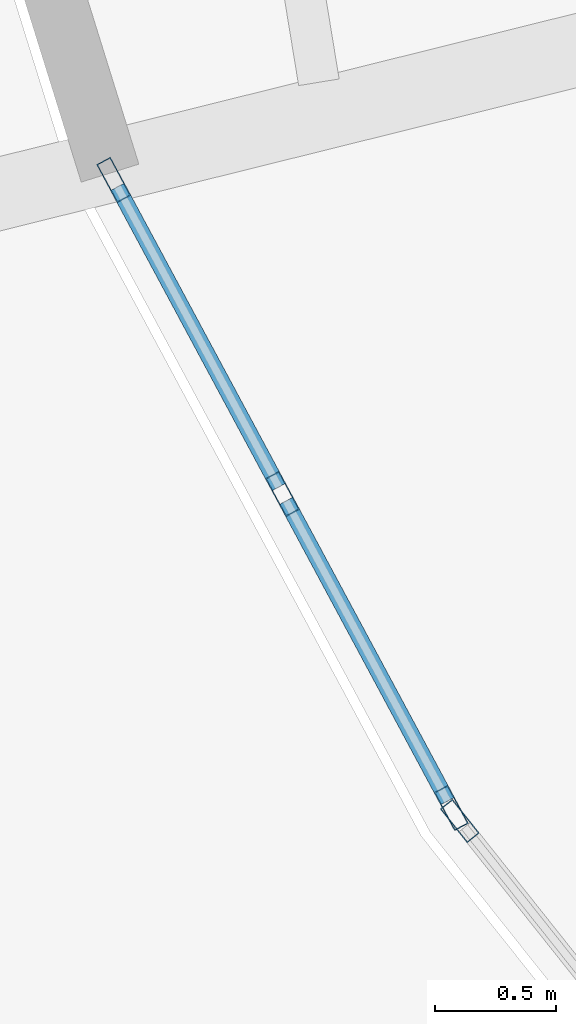
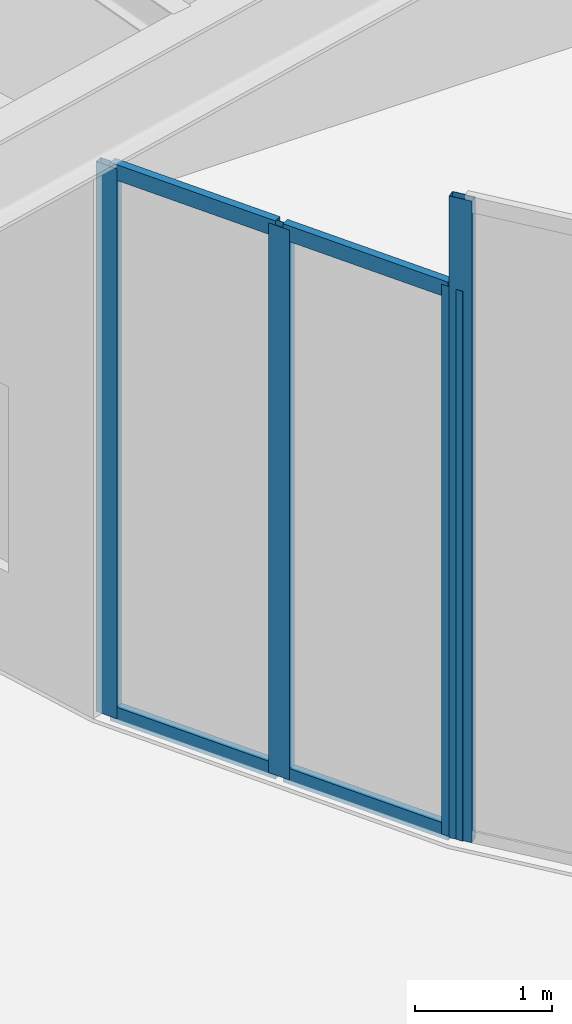
# One storey, part 8 of 46: 8 members, 2 elements without a shape of their own.
"""IFC4 building model written with IfcOpenShell, lengths in metres."""

import ifcopenshell
import ifcopenshell.guid

model = None  # the IFC model being written
_history = None  # IfcOwnerHistory: only IFC2X3 demands one
_inside = {}  # id of a spatial element -> (the spatial element, [elements in it])
_under = {}  # id of a project, library or spatial element -> (it, [spatial elements below it])
_declared = {}  # id of a project -> (the project, [libraries it declares])
_typed = {}  # id of a type object -> (the type object, [elements of that type])
_made_of = {}  # id of a material, layer set ... -> (it, [elements and type objects made of it])


def new_model(schema):
    """Start an empty IFC model of exactly this schema.

    Asked for "IFC4X3", IfcOpenShell would pick the latest addendum, in which some entities
    have other attributes; the version numbers below select the first issue.
    IFC2X3 requires an IfcOwnerHistory on every rooted entity: one is made here for all.
    """
    global model, _history
    if schema == "IFC4X3":
        model = ifcopenshell.file(schema_version=(4, 3, 0, 0))
    else:
        model = ifcopenshell.file(schema=schema)
    _inside.clear()
    _under.clear()
    _declared.clear()
    _typed.clear()
    _made_of.clear()
    _history = None
    if model.schema == "IFC2X3":
        org = make("IfcOrganization", Name="unknown")
        user = make(
            "IfcPersonAndOrganization",
            ThePerson=make("IfcPerson", FamilyName="unknown"),
            TheOrganization=org,
        )
        app = make(
            "IfcApplication",
            ApplicationDeveloper=org,
            Version="unknown",
            ApplicationFullName="unknown",
            ApplicationIdentifier="unknown",
        )
        _history = make(
            "IfcOwnerHistory",
            OwningUser=user,
            OwningApplication=app,
            ChangeAction="ADDED",
            CreationDate=0,
        )
    return model


def make(cls, **values):
    """One entity of the class cls with the attributes given. An attribute that is None is left unset."""
    return model.create_entity(
        cls, **{name: value for name, value in values.items() if value is not None}
    )


def rooted(cls, **values):
    """An entity with a GlobalId (a new one), such as an element, a storey or a relation."""
    return make(cls, GlobalId=ifcopenshell.guid.new(), OwnerHistory=_history, **values)


def si_unit(unit_type, name, prefix=None):
    """IfcSIUnit, for example si_unit("LENGTHUNIT", "METRE", prefix="MILLI")."""
    return make("IfcSIUnit", UnitType=unit_type, Prefix=prefix, Name=name)


def assignment(units):
    """IfcUnitAssignment: the units of a project."""
    return None if units is None else make("IfcUnitAssignment", Units=units)


def point(xyz):
    """IfcCartesianPoint."""
    return None if xyz is None else make("IfcCartesianPoint", Coordinates=xyz)


def direction(xyz):
    """IfcDirection."""
    return None if xyz is None else make("IfcDirection", DirectionRatios=xyz)


def frame(location, z_axis=None, x_axis=None):
    """IfcAxis2Placement3D, a coordinate frame: its origin and axes. An axis left out is left unset."""
    return make(
        "IfcAxis2Placement3D",
        Location=point(location),
        Axis=direction(z_axis),
        RefDirection=direction(x_axis),
    )


def frame_2d(location, x_axis=None):
    """IfcAxis2Placement2D, a coordinate frame in the plane: its origin and x axis."""
    return make(
        "IfcAxis2Placement2D", Location=point(location), RefDirection=direction(x_axis)
    )


def origin():
    """The frame at (0, 0, 0) with its axes left unset."""
    return frame((0.0, 0.0, 0.0))


def origin_2d():
    """The frame at (0, 0) in the plane with its x axis left unset."""
    return frame_2d((0.0, 0.0))


def place(relative_to, where):
    """IfcLocalPlacement: puts the frame where relative to a parent placement (None: the world)."""
    return make(
        "IfcLocalPlacement", PlacementRelTo=relative_to, RelativePlacement=where
    )


def context(
    kind, dimensions, precision=None, world=None, true_north=None, identifier=None
):
    """IfcGeometricRepresentationContext, for example the 3D "Model" context."""
    return make(
        "IfcGeometricRepresentationContext",
        ContextIdentifier=identifier,
        ContextType=kind,
        CoordinateSpaceDimension=dimensions,
        Precision=precision,
        WorldCoordinateSystem=world,
        TrueNorth=true_north,
    )


def subcontext(parent, identifier, kind, view, scale=None):
    """IfcGeometricRepresentationSubContext, for example "Body" below "Model"."""
    return make(
        "IfcGeometricRepresentationSubContext",
        ContextIdentifier=identifier,
        ContextType=kind,
        ParentContext=parent,
        TargetScale=scale,
        TargetView=view,
    )


def project(units=None, contexts=None):
    """IfcProject with its units and contexts."""
    return rooted(
        "IfcProject",
        Name="project",
        RepresentationContexts=contexts,
        UnitsInContext=assignment(units),
    )


def spatial(cls, under=None, at=None, **own):
    """A site, building, storey or space (cls), placed at a placement, below another one or the project."""
    s = rooted(cls, ObjectPlacement=at, **own)
    if under is not None:
        _under.setdefault(under.id(), (under, []))[1].append(s)
    return s


def profile(cls, at=None, kind="AREA", **sizes):
    """A parametric profile (cls). Its sizes go by their IFC names, for example OverallWidth=200.0."""
    return make(cls, ProfileType=kind, Position=at, **sizes)


def hollow_rectangle(**sizes):
    """IfcRectangleHollowProfileDef."""
    return profile("IfcRectangleHollowProfileDef", **sizes)


def extrude(swept, where, along, depth):
    """IfcExtrudedAreaSolid: the profile swept, set in the frame where, extruded along a direction by depth."""
    return make(
        "IfcExtrudedAreaSolid",
        SweptArea=swept,
        Position=where,
        ExtrudedDirection=direction(along),
        Depth=depth,
    )


def shape(context_of_items, identifier, shape_type, items):
    """IfcShapeRepresentation: the items that make up one representation, for example the "Body"."""
    return make(
        "IfcShapeRepresentation",
        ContextOfItems=context_of_items,
        RepresentationIdentifier=identifier,
        RepresentationType=shape_type,
        Items=items,
    )


def source(mapping_origin, context_of_items, identifier, shape_type, items):
    """IfcRepresentationMap: a shape defined once, which mapped items show again and again."""
    return make(
        "IfcRepresentationMap",
        MappingOrigin=mapping_origin,
        MappedRepresentation=shape(context_of_items, identifier, shape_type, items),
    )


def transform(
    local_origin,
    x_axis=None,
    y_axis=None,
    z_axis=None,
    scale=None,
    scale2=None,
    scale3=None,
    uniform=True,
):
    """IfcCartesianTransformationOperator3D, or its non-uniform kind. x_axis, y_axis, z_axis: its Axis1, 2, 3."""
    if uniform:
        return make(
            "IfcCartesianTransformationOperator3D",
            Axis1=direction(x_axis),
            Axis2=direction(y_axis),
            LocalOrigin=point(local_origin),
            Scale=scale,
            Axis3=direction(z_axis),
        )
    return make(
        "IfcCartesianTransformationOperator3DnonUniform",
        Axis1=direction(x_axis),
        Axis2=direction(y_axis),
        LocalOrigin=point(local_origin),
        Scale=scale,
        Axis3=direction(z_axis),
        Scale2=scale2,
        Scale3=scale3,
    )


def mapped(mapping_source, mapping_target):
    """IfcMappedItem: shows the shape of a source again, moved by a transform."""
    return make(
        "IfcMappedItem", MappingSource=mapping_source, MappingTarget=mapping_target
    )


def material(Name=None, Category=None):
    """IfcMaterial."""
    return make("IfcMaterial", Name=Name, Category=Category)


def layer(
    of_material, thickness, ventilated=None, Name=None, Category=None, Priority=None
):
    """IfcMaterialLayer: one layer of a wall or slab, of a material (None: an air gap)."""
    return make(
        "IfcMaterialLayer",
        Material=of_material,
        LayerThickness=thickness,
        IsVentilated=ventilated,
        Name=Name,
        Category=Category,
        Priority=Priority,
    )


def layer_set(layers, Name=None):
    """IfcMaterialLayerSet."""
    return make("IfcMaterialLayerSet", MaterialLayers=layers, LayerSetName=Name)


def material_profile(
    of_material, cross_section, Name=None, Category=None, Priority=None
):
    """IfcMaterialProfile: a cross section and its material."""
    return make(
        "IfcMaterialProfile",
        Name=Name,
        Material=of_material,
        Profile=cross_section,
        Priority=Priority,
        Category=Category,
    )


def profile_set(profiles, Name=None, composite=None):
    """IfcMaterialProfileSet."""
    return make(
        "IfcMaterialProfileSet",
        Name=Name,
        MaterialProfiles=profiles,
        CompositeProfile=composite,
    )


def made_of(thing, what):
    """Note that an element or type object is made of a material, layer set ...; save() writes the relation."""
    if what is not None:
        _made_of.setdefault(what.id(), (what, []))[1].append(thing)
    return thing


def type_object(cls, material=None, **own):
    """A type object (cls), such as IfcWallType, which elements share."""
    return made_of(rooted(cls, **own), material)


def element(
    cls,
    number,
    at=None,
    inside=None,
    cuts=None,
    type_object=None,
    material=None,
    context=None,
    identifier="Body",
    shape_type=None,
    held_by="IfcProductDefinitionShape",
    body=None,
    shapes=None,
    **own,
):
    """One element of the class cls, such as IfcWall. Its Tag is "e" and its number.

    at: its placement. inside: the storey or other place that contains it. cuts: it is an
    opening in that element (IfcRelVoidsElement). A single representation is given by context,
    identifier, shape_type and body (its items); several are given by shapes. held_by: the class
    of the entity that holds the representations. save() writes the other relations.
    """
    e = rooted(cls, Tag="e%d" % number, ObjectPlacement=at, **own)
    if body is not None:
        shapes = [shape(context, identifier, shape_type, body)]
    if shapes is not None:
        e.Representation = make(held_by, Representations=shapes)
    if inside is not None:
        _inside.setdefault(inside.id(), (inside, []))[1].append(e)
    if cuts is not None:
        rooted(
            "IfcRelVoidsElement", RelatingBuildingElement=cuts, RelatedOpeningElement=e
        )
    if type_object is not None:
        _typed.setdefault(type_object.id(), (type_object, []))[1].append(e)
    return made_of(e, material)


def aggregate(whole, parts):
    """IfcRelAggregates: a whole, such as a stair, and the parts it consists of."""
    return rooted("IfcRelAggregates", RelatingObject=whole, RelatedObjects=parts)


def save(model, path):
    """Write the relations noted so far, then the file.

    IfcRelAggregates (storeys below a building ...), IfcRelContainedInSpatialStructure (elements
    in a storey), IfcRelDefinesByType, IfcRelAssociatesMaterial and IfcRelDeclares: one each for
    every whole, place, type object, material and project.
    """
    for whole, parts in _under.values():
        aggregate(whole, parts)
    for where, things in _inside.values():
        rooted(
            "IfcRelContainedInSpatialStructure",
            RelatedElements=things,
            RelatingStructure=where,
        )
    for kind, things in _typed.values():
        rooted("IfcRelDefinesByType", RelatedObjects=things, RelatingType=kind)
    for what, things in _made_of.values():
        rooted("IfcRelAssociatesMaterial", RelatedObjects=things, RelatingMaterial=what)
    for by, libraries in _declared.values():
        rooted("IfcRelDeclares", RelatingContext=by, RelatedDefinitions=libraries)
    model.write(path)


model = new_model("IFC4")

# Units and contexts
model_context = context("Model", 3, precision=1e-05, world=origin(), true_north=direction((0.0, 1.0)))
body_context = subcontext(model_context, "Body", "Model", "MODEL_VIEW")
ifc_project = project(units=[si_unit("LENGTHUNIT", "METRE"), si_unit("AREAUNIT", "SQUARE_METRE"), si_unit("VOLUMEUNIT", "CUBIC_METRE"), si_unit("PLANEANGLEUNIT", "RADIAN"), si_unit("MASSUNIT", "GRAM", prefix="KILO")], contexts=[model_context])

# Site, building, storey
site_placement = place(None, origin())
site = spatial("IfcSite", under=ifc_project, at=site_placement, CompositionType="ELEMENT")
building_placement = place(site_placement, origin())
building = spatial("IfcBuilding", under=site, at=building_placement, Name="Linh Dai School and Residence Tower", CompositionType="ELEMENT")
storey_placement = place(building_placement, origin())
storey = spatial("IfcBuildingStorey", under=building, at=storey_placement, Name="L00", CompositionType="ELEMENT", Elevation=0.0)

# Curtain wall, members
ifc_material_1 = material(Name="Aluminium Anodised Curtain Wall", Category="aluminium")
ifc_layer = layer(ifc_material_1, 0.179931640625)
ifc_layer_set = layer_set([ifc_layer], Name="Aluminium Anodised Curtain Wall")
curtain_wall_type = type_object("IfcCurtainWallType", Name="CW-SYS-1", PredefinedType="USERDEFINED", material=ifc_layer_set)
curtain_wall_1_placement = place(storey_placement, origin())
curtain_wall_1 = element("IfcCurtainWall", 1, at=curtain_wall_1_placement, inside=storey, type_object=curtain_wall_type, Name="L00 CW1 Curtain Wall 23", ObjectType="UNITISED CURTAIN WALL", PredefinedType="USERDEFINED")
ifc_material_2 = material(Name="Aluminium Alloy 6063-T6", Category="aluminium")
ifc_material_profile_1 = material_profile(ifc_material_2, hollow_rectangle(XDim=0.06494140625, YDim=0.179931640625, WallThickness=0.00390625, at=origin_2d()), Name="RHS 180x65x4")
ifc_profile_set_1 = profile_set([ifc_material_profile_1], Name="Aluminium Alloy 6063-T6")
member_type_1 = type_object("IfcMemberType", Name="CW-SYS-1-MUL", PredefinedType="MULLION", material=ifc_profile_set_1)
shared_shape_1 = source(origin(), body_context, "Body", "SweptSolid", [
    extrude(hollow_rectangle(XDim=0.06494140625, YDim=0.179931640625, WallThickness=0.00390625, at=origin_2d()), origin(), (0.0, 0.0, 1.0), 4.885009765625),
])
member_1_placement = place(storey_placement, frame((14.704833984375, 18.69873046875, 0.0), z_axis=(0.0, 0.0, 1.0), x_axis=(-0.880871524135, -0.473355424568, 0.0)))
member_1 = element("IfcMember", 2, at=member_1_placement, type_object=member_type_1, Name="CW1 mullion 1", PredefinedType="MULLION", context=body_context, shape_type="MappedRepresentation", body=[
    mapped(shared_shape_1, transform((0.0, 0.0, 0.0), x_axis=(1.0, 0.0, 0.0), y_axis=(0.0, 1.0, 0.0), z_axis=(0.0, 0.0, 1.0), scale=1.0)),
])
member_2_placement = place(storey_placement, frame((14.0048828125, 20.0009765625, 0.0), z_axis=(0.0, 0.0, 1.0), x_axis=(-0.880871524135, -0.473355424568, 0.0)))
member_2 = element("IfcMember", 3, at=member_2_placement, type_object=member_type_1, Name="CW1 mullion 2", PredefinedType="MULLION", context=body_context, shape_type="MappedRepresentation", body=[
    mapped(shared_shape_1, transform((0.0, 0.0, 0.0), x_axis=(1.0, 0.0, 0.0), y_axis=(0.0, 1.0, 0.0), z_axis=(0.0, 0.0, 1.0), scale=1.0)),
])
member_3_placement = place(storey_placement, frame((13.30517578125, 21.30322265625, 0.0), z_axis=(0.0, 0.0, 1.0), x_axis=(-0.880871524135, -0.473355424568, 0.0)))
member_3 = element("IfcMember", 4, at=member_3_placement, type_object=member_type_1, Name="CW1 mullion 3", PredefinedType="MULLION", context=body_context, shape_type="MappedRepresentation", body=[
    mapped(shared_shape_1, transform((0.0, 0.0, 0.0), x_axis=(1.0, 0.0, 0.0), y_axis=(0.0, 1.0, 0.0), z_axis=(0.0, 0.0, 1.0), scale=1.0)),
])
ifc_material_profile_2 = material_profile(ifc_material_2, hollow_rectangle(XDim=0.06494140625, YDim=0.139892578125, WallThickness=0.00390625, at=origin_2d()), Name="RHS 140x65x4")
ifc_profile_set_2 = profile_set([ifc_material_profile_2], Name="Aluminium Alloy 6063-T6")
member_type_2 = type_object("IfcMemberType", Name="CW-SYS-1-TRN", PredefinedType="USERDEFINED", material=ifc_profile_set_2)
shared_shape_2 = source(origin(), body_context, "Body", "SweptSolid", [
    extrude(hollow_rectangle(XDim=0.06494140625, YDim=0.139892578125, WallThickness=0.00390625, at=origin_2d()), origin(), (0.0, 0.0, 1.0), 1.41357421875),
])
member_4_placement = place(storey_placement, frame((14.689453125, 18.727294921875, 0.032470703125), z_axis=(-0.473409612906, 0.880842402708, 0.0), x_axis=(-0.880842402708, -0.473409612906, 0.0)))
member_4 = element("IfcMember", 5, at=member_4_placement, type_object=member_type_2, Name="CW1 transom 1.1", ObjectType="TRANSOM", PredefinedType="USERDEFINED", context=body_context, shape_type="MappedRepresentation", body=[
    mapped(shared_shape_2, transform((0.0, 0.0, 0.0), x_axis=(1.0, 0.0, 0.0), y_axis=(0.0, 1.0, 0.0), z_axis=(0.0, 0.0, 1.0), scale=1.0)),
])
member_5_placement = place(storey_placement, frame((14.689453125, 18.727294921875, 4.8525390625), z_axis=(-0.473409612906, 0.880842402708, 0.0), x_axis=(-0.880842402708, -0.473409612906, 0.0)))
member_5 = element("IfcMember", 6, at=member_5_placement, type_object=member_type_2, Name="CW1 transom 1.2", ObjectType="TRANSOM", PredefinedType="USERDEFINED", context=body_context, shape_type="MappedRepresentation", body=[
    mapped(shared_shape_2, transform((0.0, 0.0, 0.0), x_axis=(1.0, 0.0, 0.0), y_axis=(0.0, 1.0, 0.0), z_axis=(0.0, 0.0, 1.0), scale=1.0)),
])
shared_shape_3 = source(origin(), body_context, "Body", "SweptSolid", [
    extrude(hollow_rectangle(XDim=0.06494140625, YDim=0.139892578125, WallThickness=0.00390625, at=origin_2d()), origin(), (0.0, 0.0, 1.0), 1.413330078125),
])
member_6_placement = place(storey_placement, frame((13.989501953125, 20.029541015625, 0.032470703125), z_axis=(-0.473347612857, 0.880875721883, 0.0), x_axis=(-0.880875721883, -0.473347612857, 0.0)))
member_6 = element("IfcMember", 7, at=member_6_placement, type_object=member_type_2, Name="CW1 transom 2.1", ObjectType="TRANSOM", PredefinedType="USERDEFINED", context=body_context, shape_type="MappedRepresentation", body=[
    mapped(shared_shape_3, transform((0.0, 0.0, 0.0), x_axis=(1.0, 0.0, 0.0), y_axis=(0.0, 1.0, 0.0), z_axis=(0.0, 0.0, 1.0), scale=1.0)),
])
member_7_placement = place(storey_placement, frame((13.989501953125, 20.029541015625, 4.8525390625), z_axis=(-0.473347612857, 0.880875721883, 0.0), x_axis=(-0.880875721883, -0.473347612857, 0.0)))
member_7 = element("IfcMember", 8, at=member_7_placement, type_object=member_type_2, Name="CW1 transom 2.2", ObjectType="TRANSOM", PredefinedType="USERDEFINED", context=body_context, shape_type="MappedRepresentation", body=[
    mapped(shared_shape_3, transform((0.0, 0.0, 0.0), x_axis=(1.0, 0.0, 0.0), y_axis=(0.0, 1.0, 0.0), z_axis=(0.0, 0.0, 1.0), scale=1.0)),
])
aggregate(curtain_wall_1, [member_1, member_2, member_3, member_4, member_5, member_6, member_7])

# Curtain wall, member
curtain_wall_2_placement = place(storey_placement, origin())
curtain_wall_2 = element("IfcCurtainWall", 9, at=curtain_wall_2_placement, inside=storey, type_object=curtain_wall_type, Name="L00 CW1 Curtain Wall 24", ObjectType="UNITISED CURTAIN WALL", PredefinedType="USERDEFINED")
shared_shape_4 = source(origin(), body_context, "Body", "SweptSolid", [
    extrude(hollow_rectangle(XDim=0.06494140625, YDim=0.179931640625, WallThickness=0.00390625, at=origin_2d()), origin(), (0.0, 0.0, 1.0), 5.699951171875),
])
member_8_placement = place(storey_placement, frame((14.740234375, 18.644775390625, 0.0), z_axis=(0.0, 0.0, 1.0), x_axis=(-0.782771274016, -0.622309515093, 0.0)))
member_8 = element("IfcMember", 10, at=member_8_placement, type_object=member_type_1, Name="CW1 mullion 3", PredefinedType="MULLION", context=body_context, shape_type="MappedRepresentation", body=[
    mapped(shared_shape_4, transform((0.0, 0.0, 0.0), x_axis=(1.0, 0.0, 0.0), y_axis=(0.0, 1.0, 0.0), z_axis=(0.0, 0.0, 1.0), scale=1.0)),
])
aggregate(curtain_wall_2, [member_8])

save(model, "model.ifc")
